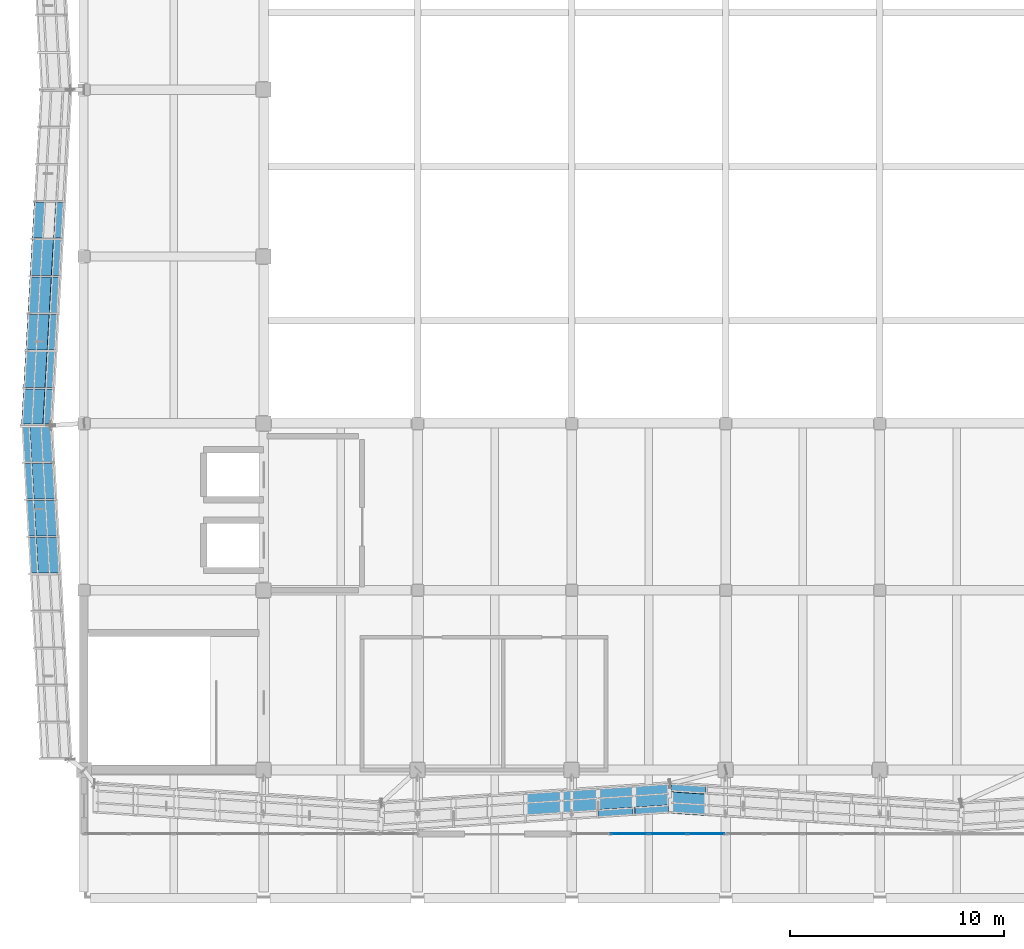
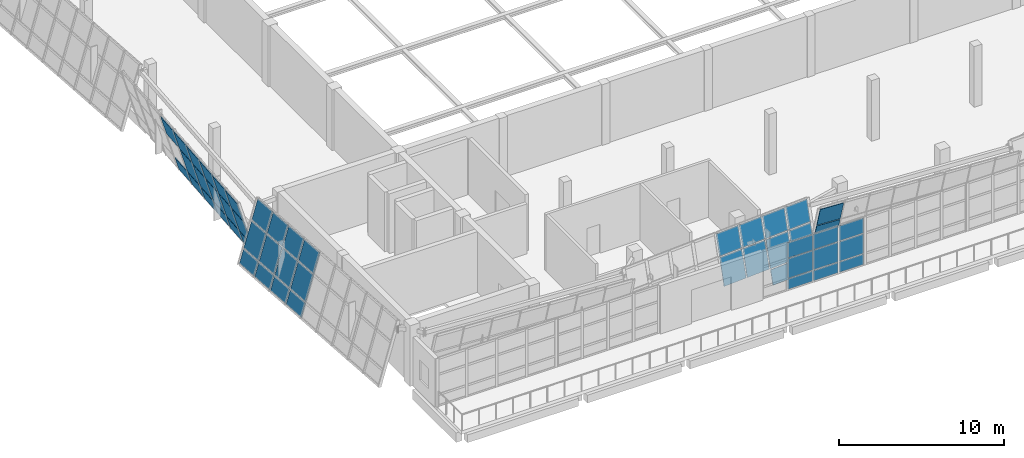
# One storey, part 35 of 67: 51 plates, 5 elements without a shape of their own.
"""IFC4 building model written with IfcOpenShell, lengths in metres."""

from ifc_helpers import new_model, si_unit, direction, frame, origin, place, context, subcontext, project, spatial, polyline, outline, extrude, material, layer, layer_set, type_object, element, aggregate, save


model = new_model("IFC4")

# Units and contexts
model_context = context("Model", 3, precision=1e-05, world=origin(), true_north=direction((0.0, 1.0)))
body_context = subcontext(model_context, "Body", "Model", "MODEL_VIEW")
ifc_project = project(units=[si_unit("LENGTHUNIT", "METRE"), si_unit("AREAUNIT", "SQUARE_METRE"), si_unit("VOLUMEUNIT", "CUBIC_METRE"), si_unit("PLANEANGLEUNIT", "RADIAN"), si_unit("MASSUNIT", "GRAM", prefix="KILO")], contexts=[model_context])

# Site, building, storey
site_placement = place(None, origin())
site = spatial("IfcSite", under=ifc_project, at=site_placement, CompositionType="ELEMENT")
building_placement = place(site_placement, origin())
building = spatial("IfcBuilding", under=site, at=building_placement, Name="Pellamere Symphony Hall", CompositionType="ELEMENT")
storey_placement = place(building_placement, frame((0.0, 0.0, 19.5)))
storey = spatial("IfcBuildingStorey", under=building, at=storey_placement, Name="L04", CompositionType="ELEMENT", Elevation=19.5)

# Curtain wall, plates
ifc_material_1 = material(Name="Thermally Broken Anodised Aluminium 6063-T6 Curtain Wall", Category="aluminium")
curtain_wall_type_1 = type_object("IfcCurtainWallType", Name="Curtain Wall CW-06 (Belvedere Terrace Clerestory Curtain Wall)", PredefinedType="NOTDEFINED", material=ifc_material_1)
curtain_wall_1_placement = place(storey_placement, origin())
curtain_wall_1 = element("IfcCurtainWall", 1, at=curtain_wall_1_placement, inside=storey, type_object=curtain_wall_type_1, Name="Winter-Garden South Curtain Wall (L04 Bay 4)", PredefinedType="NOTDEFINED")
ifc_material_2 = material(Name="Triple Low-E Argon Acoustic Glazing 36mm", Category="glass")
ifc_layer_1 = layer(ifc_material_2, 0.035888671875, Name="Triple Low-E Argon Acoustic Glazing 36mm")
ifc_layer_set_1 = layer_set([ifc_layer_1], Name="Triple Low-E Argon Acoustic Glazing 36mm")
plate_type_1 = type_object("IfcPlateType", Name="Facade Panel GL-01 36mm", PredefinedType="CURTAIN_PANEL", material=ifc_layer_set_1)
plate_1_placement = place(storey_placement, frame((75.032470703125, 27.0, 0.06494140625), z_axis=(0.0, -1.0, 0.0), x_axis=(1.0, 0.0, 0.0)))
plate_1 = element("IfcPlate", 2, at=plate_1_placement, type_object=plate_type_1, Name="CW2-097 crystal glass panel 2.1", PredefinedType="CURTAIN_PANEL", context=body_context, shape_type="SweptSolid", body=[
    extrude(outline(polyline([(0.0, 0.0), (1.735107421875, 0.0), (1.735107421875, 0.76123046875), (0.0, 0.76123046875), (0.0, 0.0)])), origin(), (0.0, 0.0, -1.0), 0.035888671875),
])
plate_2_placement = place(storey_placement, frame((75.032470703125, 27.0, 0.89111328125), z_axis=(0.0, -1.0, 0.0), x_axis=(1.0, 0.0, 0.0)))
plate_2 = element("IfcPlate", 3, at=plate_2_placement, type_object=plate_type_1, Name="CW2-097 crystal glass panel 2.2", PredefinedType="CURTAIN_PANEL", context=body_context, shape_type="SweptSolid", body=[
    extrude(outline(polyline([(0.0, 0.0), (1.735107421875, 0.0), (1.735107421875, 1.4375), (0.0, 1.4375), (0.0, 0.0)])), origin(), (0.0, 0.0, -1.0), 0.035888671875),
])
plate_3_placement = place(storey_placement, frame((75.032470703125, 27.0, 2.3935546875), z_axis=(0.0, -1.0, 0.0), x_axis=(1.0, 0.0, 0.0)))
plate_3 = element("IfcPlate", 4, at=plate_3_placement, type_object=plate_type_1, Name="CW2-097 crystal glass panel 2.3", PredefinedType="CURTAIN_PANEL", context=body_context, shape_type="SweptSolid", body=[
    extrude(outline(polyline([(0.0, 0.0), (1.735107421875, 0.0), (1.735107421875, 1.118896484375), (0.0, 1.118896484375), (0.0, 0.0)])), origin(), (0.0, 0.0, -1.0), 0.035888671875),
])
plate_4_placement = place(storey_placement, frame((76.83251953125, 27.0, 0.06494140625), z_axis=(0.0, -1.0, 0.0), x_axis=(1.0, 0.0, 0.0)))
plate_4 = element("IfcPlate", 5, at=plate_4_placement, type_object=plate_type_1, Name="CW2-097 crystal glass panel 3.1", PredefinedType="CURTAIN_PANEL", context=body_context, shape_type="SweptSolid", body=[
    extrude(outline(polyline([(0.0, 0.0), (1.73486328125, 0.0), (1.73486328125, 0.76123046875), (0.0, 0.76123046875), (0.0, 0.0)])), origin(), (0.0, 0.0, -1.0), 0.035888671875),
])
plate_5_placement = place(storey_placement, frame((76.83251953125, 27.0, 0.89111328125), z_axis=(0.0, -1.0, 0.0), x_axis=(1.0, 0.0, 0.0)))
plate_5 = element("IfcPlate", 6, at=plate_5_placement, type_object=plate_type_1, Name="CW2-097 crystal glass panel 3.2", PredefinedType="CURTAIN_PANEL", context=body_context, shape_type="SweptSolid", body=[
    extrude(outline(polyline([(0.0, 0.0), (1.73486328125, 0.0), (1.73486328125, 1.4375), (0.0, 1.4375), (0.0, 0.0)])), origin(), (0.0, 0.0, -1.0), 0.035888671875),
])
plate_6_placement = place(storey_placement, frame((76.83251953125, 27.0, 2.3935546875), z_axis=(0.0, -1.0, 0.0), x_axis=(1.0, 0.0, 0.0)))
plate_6 = element("IfcPlate", 7, at=plate_6_placement, type_object=plate_type_1, Name="CW2-097 crystal glass panel 3.3", PredefinedType="CURTAIN_PANEL", context=body_context, shape_type="SweptSolid", body=[
    extrude(outline(polyline([(0.0, 0.0), (1.73486328125, 0.0), (1.73486328125, 1.118896484375), (0.0, 1.118896484375), (0.0, 0.0)])), origin(), (0.0, 0.0, -1.0), 0.035888671875),
])
plate_7_placement = place(storey_placement, frame((78.632568359375, 27.0, 0.06494140625), z_axis=(0.0, -1.0, 0.0), x_axis=(1.0, 0.0, 0.0)))
plate_7 = element("IfcPlate", 8, at=plate_7_placement, type_object=plate_type_1, Name="CW2-097 crystal glass panel 4.1", PredefinedType="CURTAIN_PANEL", context=body_context, shape_type="SweptSolid", body=[
    extrude(outline(polyline([(0.0, 0.0), (1.702392578125, 0.0), (1.702392578125, 0.76123046875), (0.0, 0.76123046875), (0.0, 0.0)])), origin(), (0.0, 0.0, -1.0), 0.035888671875),
])
plate_8_placement = place(storey_placement, frame((78.632568359375, 27.0, 0.89111328125), z_axis=(0.0, -1.0, 0.0), x_axis=(1.0, 0.0, 0.0)))
plate_8 = element("IfcPlate", 9, at=plate_8_placement, type_object=plate_type_1, Name="CW2-097 crystal glass panel 4.2", PredefinedType="CURTAIN_PANEL", context=body_context, shape_type="SweptSolid", body=[
    extrude(outline(polyline([(0.0, 0.0), (1.702392578125, 0.0), (1.702392578125, 1.4375), (0.0, 1.4375), (0.0, 0.0)])), origin(), (0.0, 0.0, -1.0), 0.035888671875),
])
plate_9_placement = place(storey_placement, frame((78.632568359375, 27.0, 2.3935546875), z_axis=(0.0, -1.0, 0.0), x_axis=(1.0, 0.0, 0.0)))
plate_9 = element("IfcPlate", 10, at=plate_9_placement, type_object=plate_type_1, Name="CW2-097 crystal glass panel 4.3", PredefinedType="CURTAIN_PANEL", context=body_context, shape_type="SweptSolid", body=[
    extrude(outline(polyline([(0.0, 0.0), (1.702392578125, 0.0), (1.702392578125, 1.118896484375), (0.0, 1.118896484375), (0.0, 0.0)])), origin(), (0.0, 0.0, -1.0), 0.035888671875),
])
aggregate(curtain_wall_1, [plate_1, plate_2, plate_3, plate_4, plate_5, plate_6, plate_7, plate_8, plate_9])

curtain_wall_type_2 = type_object("IfcCurtainWallType", Name="Curtain Wall CW-01 (Tilted Faceted Crystal Low-Iron Curtain Wall)", PredefinedType="NOTDEFINED", material=ifc_material_1)
curtain_wall_2_placement = place(storey_placement, origin())
curtain_wall_2 = element("IfcCurtainWall", 11, at=curtain_wall_2_placement, inside=storey, type_object=curtain_wall_type_2, Name="Crystal Faceted Curtain Wall CW-CR02 (L04)", PredefinedType="NOTDEFINED")
ifc_material_3 = material(Name="Triple Laminated Acoustic Crystal Glazing 42mm", Category="glass")
ifc_layer_2 = layer(ifc_material_3, 0.0419921875, Name="Triple Laminated Acoustic Crystal Glazing 42mm")
ifc_layer_set_2 = layer_set([ifc_layer_2], Name="Triple Laminated Acoustic Crystal Glazing 42mm")
plate_type_2 = type_object("IfcPlateType", Name="Facade Panel GL-02 42mm", PredefinedType="CURTAIN_PANEL", material=ifc_layer_set_2)
plate_10_placement = place(storey_placement, frame((71.08740234375, 27.900146484375, 1.115966796875), z_axis=(0.063733193807, -0.956866996113, 0.283449522415), x_axis=(0.997789166031, 0.066458860589, 0.0)))
plate_10 = element("IfcPlate", 12, at=plate_10_placement, type_object=plate_type_2, Name="CW1-002 crystal glass panel 5.2", PredefinedType="CURTAIN_PANEL", context=body_context, shape_type="SweptSolid", body=[
    extrude(outline(polyline([(0.0, 0.0), (1.616366486684859, 0.0), (1.6521595156058213, 1.8958702628738333), (0.035793028920962165, 1.8958702628738333), (0.0, 0.0)])), origin(), (0.0, 0.0, -1.0), 0.0419921875),
])
plate_11_placement = place(storey_placement, frame((71.08740234375, 28.4599609375, 3.005859375), z_axis=(0.063805383649, -0.956863483281, 0.283445139983), x_axis=(0.997784557823, 0.06652800726, -2.0482795e-05)))
plate_11 = element("IfcPlate", 13, at=plate_11_placement, type_object=plate_type_2, Name="CW1-002 crystal glass panel 5.3", PredefinedType="CURTAIN_PANEL", context=body_context, shape_type="SweptSolid", body=[
    extrude(outline(polyline([(0.0, 0.0), (1.6163664824644917, 0.0), (1.6443713721739868, 1.4829717898125772), (0.027988647520222894, 1.482902742329526), (0.0, 0.0)])), origin(), (0.0, 0.0, -1.0), 0.0419921875),
])
plate_12_placement = place(storey_placement, frame((72.77490234375, 28.012451171875, 1.115966796875), z_axis=(0.063877451614, -0.956858152749, 0.283446902775), x_axis=(0.997779138857, 0.066609234065, 0.0)))
plate_12 = element("IfcPlate", 14, at=plate_12_placement, type_object=plate_type_2, Name="CW1-002 crystal glass panel 6.2", PredefinedType="CURTAIN_PANEL", context=body_context, shape_type="SweptSolid", body=[
    extrude(outline(polyline([(0.0, 0.0), (1.6163827303488496, 0.0), (1.6522567465471327, 1.895868732146411), (0.03587401619828309, 1.895868732146411), (0.0, 0.0)])), origin(), (0.0, 0.0, -1.0), 0.0419921875),
])
plate_13_placement = place(storey_placement, frame((72.77490234375, 28.572509765625, 3.005859375), z_axis=(0.063805383649, -0.956863483281, 0.283445139983), x_axis=(0.997784557823, 0.06652800726, -2.0482795e-05)))
plate_13 = element("IfcPlate", 15, at=plate_13_placement, type_object=plate_type_2, Name="CW1-002 crystal glass panel 6.3", PredefinedType="CURTAIN_PANEL", context=body_context, shape_type="SweptSolid", body=[
    extrude(outline(polyline([(0.0, 0.0), (1.6163664824644917, 0.0), (1.6443713721739868, 1.4829717898125772), (0.027988647520222894, 1.482902742329526), (0.0, 0.0)])), origin(), (0.0, 0.0, -1.0), 0.0419921875),
])
plate_14_placement = place(storey_placement, frame((74.46240234375, 27.81591796875, 0.072021484375), z_axis=(0.063734402399, -0.956885141479, 0.283387988396), x_axis=(0.997789166031, 0.066458860589, 0.0)))
plate_14 = element("IfcPlate", 16, at=plate_14_placement, type_object=plate_type_2, Name="CW1-002 crystal glass panel 7.1", PredefinedType="CURTAIN_PANEL", context=body_context, shape_type="SweptSolid", body=[
    extrude(outline(polyline([(0.0, 0.0), (1.616366486684859, 0.0), (1.635496124535183, 1.013470712285806), (0.01912963785032384, 1.013470712285806), (0.0, 0.0)])), origin(), (0.0, 0.0, -1.0), 0.0419921875),
])
plate_15_placement = place(storey_placement, frame((74.46240234375, 28.125, 1.115966796875), z_axis=(0.063877451614, -0.956858152749, 0.283446902775), x_axis=(0.997779138857, 0.066609234065, 0.0)))
plate_15 = element("IfcPlate", 17, at=plate_15_placement, type_object=plate_type_2, Name="CW1-002 crystal glass panel 7.2", PredefinedType="CURTAIN_PANEL", context=body_context, shape_type="SweptSolid", body=[
    extrude(outline(polyline([(0.0, 0.0), (1.6163827303488496, 0.0), (1.6522567465471327, 1.895868732146411), (0.03587401619828309, 1.895868732146411), (0.0, 0.0)])), origin(), (0.0, 0.0, -1.0), 0.0419921875),
])
plate_16_placement = place(storey_placement, frame((74.46240234375, 28.684814453125, 3.005859375), z_axis=(0.063805383649, -0.956863483281, 0.283445139983), x_axis=(0.997783752229, 0.066540088437, 2.0482589e-05)))
plate_16 = element("IfcPlate", 18, at=plate_16_placement, type_object=plate_type_2, Name="CW1-002 crystal glass panel 7.3", PredefinedType="CURTAIN_PANEL", context=body_context, shape_type="SweptSolid", body=[
    extrude(outline(polyline([(0.0, 0.0), (1.6163827261285246, 3.469446951953614e-18), (1.6444347192036313, 1.4829015453774923), (0.028068238213885266, 1.4829705921666583), (0.0, 0.0)])), origin(), (0.0, 0.0, -1.0), 0.0419921875),
])
plate_17_placement = place(storey_placement, frame((76.14990234375, 27.92822265625, 0.072021484375), z_axis=(0.063768067856, -0.956817613505, 0.283608335578), x_axis=(0.997786526209, 0.066498482063, 0.0)))
plate_17 = element("IfcPlate", 19, at=plate_17_placement, type_object=plate_type_2, Name="CW1-002 crystal glass panel 8.1", PredefinedType="CURTAIN_PANEL", context=body_context, shape_type="SweptSolid", body=[
    extrude(outline(polyline([(0.0, 0.0), (1.578689700777497, -3.469446951953614e-18), (1.5978469783249076, 1.0135395570866388), (0.01915727754741067, 1.0135395570866388), (0.0, 0.0)])), origin(), (0.0, 0.0, -1.0), 0.0419921875),
])
plate_18_placement = place(storey_placement, frame((76.14990234375, 28.237548828125, 1.115966796875), z_axis=(0.063771203847, -0.95686466795, 0.283448832751), x_axis=(0.997786526209, 0.066498482063, 0.0)))
plate_18 = element("IfcPlate", 20, at=plate_18_placement, type_object=plate_type_2, Name="CW1-002 crystal glass panel 8.2", PredefinedType="CURTAIN_PANEL", context=body_context, shape_type="SweptSolid", body=[
    extrude(outline(polyline([(0.0, 0.0), (1.578689700777497, 0.0), (1.6145040688025716, 1.8958698598826869), (0.03581436802507452, 1.8958698598826869), (0.0, 0.0)])), origin(), (0.0, 0.0, -1.0), 0.0419921875),
])
plate_19_placement = place(storey_placement, frame((76.14990234375, 28.79736328125, 3.005859375), z_axis=(0.063769779454, -0.956843295433, 0.283521292346), x_axis=(0.997786526209, 0.066498482063, 0.0)))
plate_19 = element("IfcPlate", 21, at=plate_19_placement, type_object=plate_type_2, Name="CW1-002 crystal glass panel 8.3", PredefinedType="CURTAIN_PANEL", context=body_context, shape_type="SweptSolid", body=[
    extrude(outline(polyline([(0.0, 0.0), (1.578689700777497, -3.469446951953614e-18), (1.6067112779358281, 1.4829714791877961), (0.028021577158331198, 1.4829714791877961), (0.0, 0.0)])), origin(), (0.0, 0.0, -1.0), 0.0419921875),
])
aggregate(curtain_wall_2, [plate_10, plate_11, plate_12, plate_13, plate_14, plate_15, plate_16, plate_17, plate_18, plate_19])

curtain_wall_3_placement = place(storey_placement, origin())
curtain_wall_3 = element("IfcCurtainWall", 22, at=curtain_wall_3_placement, inside=storey, type_object=curtain_wall_type_2, Name="Crystal Faceted Curtain Wall CW-CR18 (L04)", PredefinedType="NOTDEFINED")
plate_20_placement = place(storey_placement, frame((47.542724609375, 46.025146484375, 0.072021484375), z_axis=(-0.957371473548, -0.05522187867, 0.283532018918), x_axis=(0.057585007883, -0.99834060664, 0.0)))
plate_20 = element("IfcPlate", 23, at=plate_20_placement, type_object=plate_type_2, Name="CW1-056 crystal glass panel 1.1", PredefinedType="CURTAIN_PANEL", context=body_context, shape_type="SweptSolid", body=[
    extrude(outline(polyline([(0.0, 0.0), (1.6237882534451713, 0.0), (1.6403636255872818, 1.0135157052279624), (0.01657537214211032, 1.0135157052279624), (0.0, 0.0)])), origin(), (0.0, 0.0, -1.0), 0.0419921875),
])
plate_21_placement = place(storey_placement, frame((47.851806640625, 46.025146484375, 1.115966796875), z_axis=(-0.957353300502, -0.055220830436, 0.283593578744), x_axis=(0.057585007883, -0.99834060664, 0.0)))
plate_21 = element("IfcPlate", 24, at=plate_21_placement, type_object=plate_type_2, Name="CW1-056 crystal glass panel 1.2", PredefinedType="CURTAIN_PANEL", context=body_context, shape_type="SweptSolid", body=[
    extrude(outline(polyline([(0.0, 0.0), (1.6237882534451713, -3.469446951953614e-18), (1.654802054077483, 1.895954466420271), (0.031013800632311597, 1.895954466420271), (0.0, 0.0)])), origin(), (0.0, 0.0, -1.0), 0.0419921875),
])
plate_22_placement = place(storey_placement, frame((48.411865234375, 46.025146484375, 3.005859375), z_axis=(-0.957376516406, -0.055222169546, 0.283514934043), x_axis=(0.057585007883, -0.99834060664, 0.0)))
plate_22 = element("IfcPlate", 25, at=plate_22_placement, type_object=plate_type_2, Name="CW1-056 crystal glass panel 1.3", PredefinedType="CURTAIN_PANEL", context=body_context, shape_type="SweptSolid", body=[
    extrude(outline(polyline([(0.0, 0.0), (1.6237882534451713, -3.469446951953614e-18), (1.648039752126376, 1.482968572173219), (0.024251498681204672, 1.482968572173219), (0.0, 0.0)])), origin(), (0.0, 0.0, -1.0), 0.0419921875),
])
plate_23_placement = place(storey_placement, frame((47.640380859375, 44.329345703125, 0.072021484375), z_axis=(-0.957305301098, -0.055234571391, 0.283752890052), x_axis=(0.057602168051, -0.998339616682, 0.0)))
plate_23 = element("IfcPlate", 26, at=plate_23_placement, type_object=plate_type_2, Name="CW1-056 crystal glass panel 2.1", PredefinedType="CURTAIN_PANEL", context=body_context, shape_type="SweptSolid", body=[
    extrude(outline(polyline([(0.0, 0.0), (1.6614500501978287, -3.469446951953614e-18), (1.6780444247828616, 1.0135847580713415), (0.01659437458503302, 1.0135847580713415), (0.0, 0.0)])), origin(), (0.0, 0.0, -1.0), 0.0419921875),
])
plate_24_placement = place(storey_placement, frame((47.94970703125, 44.329345703125, 1.115966796875), z_axis=(-0.957352427535, -0.055237290491, 0.283593320148), x_axis=(0.057602168051, -0.998339616682, 0.0)))
plate_24 = element("IfcPlate", 27, at=plate_24_placement, type_object=plate_type_2, Name="CW1-056 crystal glass panel 2.2", PredefinedType="CURTAIN_PANEL", context=body_context, shape_type="SweptSolid", body=[
    extrude(outline(polyline([(0.0, 0.0), (1.6614500501978287, -3.469446951953614e-18), (1.6924730928542548, 1.8959543152177933), (0.031023042656426136, 1.8959543152177933), (0.0, 0.0)])), origin(), (0.0, 0.0, -1.0), 0.0419921875),
])
plate_25_placement = place(storey_placement, frame((48.509521484375, 44.329345703125, 3.005859375), z_axis=(-0.957331022317, -0.055236055453, 0.283665810218), x_axis=(0.057602168051, -0.998339616682, 0.0)))
plate_25 = element("IfcPlate", 28, at=plate_25_placement, type_object=plate_type_2, Name="CW1-056 crystal glass panel 2.3", PredefinedType="CURTAIN_PANEL", context=body_context, shape_type="SweptSolid", body=[
    extrude(outline(polyline([(0.0, 0.0), (1.6614500501978287, 6.938893903907228e-18), (1.6857228387857668, 1.483037574913409), (0.02427278858793813, 1.483037574913409), (0.0, 0.0)])), origin(), (0.0, 0.0, -1.0), 0.0419921875),
])
plate_26_placement = place(storey_placement, frame((47.740478515625, 42.595947265625, 0.072021484375), z_axis=(-0.95737017047, -0.055246445874, 0.283531633003), x_axis=(0.057610619545, -0.998339129012, 0.0)))
plate_26 = element("IfcPlate", 29, at=plate_26_placement, type_object=plate_type_2, Name="CW1-056 crystal glass panel 3.1", PredefinedType="CURTAIN_PANEL", context=body_context, shape_type="SweptSolid", body=[
    extrude(outline(polyline([(0.0, 0.0), (1.6612063149993754, -3.469446951953614e-18), (1.6777890592484324, 1.0135155846352601), (0.0165827442490568, 1.0135155846352604), (0.0, 0.0)])), origin(), (0.0, 0.0, -1.0), 0.0419921875),
])
plate_27_placement = place(storey_placement, frame((48.0498046875, 42.595947265625, 1.115966796875), z_axis=(-0.957351997497, -0.055245397176, 0.283593192759), x_axis=(0.057610619545, -0.998339129012, 0.0)))
plate_27 = element("IfcPlate", 30, at=plate_27_placement, type_object=plate_type_2, Name="CW1-056 crystal glass panel 3.2", PredefinedType="CURTAIN_PANEL", context=body_context, shape_type="SweptSolid", body=[
    extrude(outline(polyline([(0.0, 0.0), (1.6612063149993754, -3.469446951953614e-18), (1.6922339094127932, 1.8959542407330272), (0.031027594413417556, 1.8959542407330272), (0.0, 0.0)])), origin(), (0.0, 0.0, -1.0), 0.0419921875),
])
plate_28_placement = place(storey_placement, frame((48.609619140625, 42.595947265625, 3.005859375), z_axis=(-0.957375213306, -0.055246736879, 0.283514548147), x_axis=(0.057610619545, -0.998339129012, 0.0)))
plate_28 = element("IfcPlate", 31, at=plate_28_placement, type_object=plate_type_2, Name="CW1-056 crystal glass panel 3.3", PredefinedType="CURTAIN_PANEL", context=body_context, shape_type="SweptSolid", body=[
    extrude(outline(polyline([(0.0, 0.0), (1.6612063149993754, -6.938893903907228e-18), (1.685468599842143, 1.482968395744147), (0.02426228484276758, 1.482968395744147), (0.0, 0.0)])), origin(), (0.0, 0.0, -1.0), 0.0419921875),
])
plate_29_placement = place(storey_placement, frame((47.840576171875, 40.862548828125, 0.072021484375), z_axis=(-0.957341250423, -0.055174311724, 0.283643306926), x_axis=(0.057531487585, -0.998343692091, -1.9953977e-05)))
plate_29 = element("IfcPlate", 32, at=plate_29_placement, type_object=plate_type_2, Name="CW1-056 crystal glass panel 4.1", PredefinedType="CURTAIN_PANEL", context=body_context, shape_type="SweptSolid", body=[
    extrude(outline(polyline([(0.0, 0.0), (1.6611922636769045, -3.469446951953614e-18), (1.6777468824677166, 1.0135854014350005), (0.016540573017476246, 1.0135162670094096), (0.0, 0.0)])), origin(), (0.0, 0.0, -1.0), 0.0419921875),
])
plate_30_placement = place(storey_placement, frame((48.149658203125, 40.862548828125, 1.115966796875), z_axis=(-0.957351997497, -0.055245397176, 0.283593192759), x_axis=(0.057610619545, -0.998339129012, 0.0)))
plate_30 = element("IfcPlate", 33, at=plate_30_placement, type_object=plate_type_2, Name="CW1-056 crystal glass panel 4.2", PredefinedType="CURTAIN_PANEL", context=body_context, shape_type="SweptSolid", body=[
    extrude(outline(polyline([(0.0, 0.0), (1.6612063149993754, -3.469446951953614e-18), (1.6922339094127932, 1.8959542407330272), (0.031027594413417556, 1.8959542407330272), (0.0, 0.0)])), origin(), (0.0, 0.0, -1.0), 0.0419921875),
])
plate_31_placement = place(storey_placement, frame((48.70947265625, 40.862548828125, 3.005859375), z_axis=(-0.957330592308, -0.055244161959, 0.283665682802), x_axis=(0.057610619545, -0.998339129012, 0.0)))
plate_31 = element("IfcPlate", 34, at=plate_31_placement, type_object=plate_type_2, Name="CW1-056 crystal glass panel 4.3", PredefinedType="CURTAIN_PANEL", context=body_context, shape_type="SweptSolid", body=[
    extrude(outline(polyline([(0.0, 0.0), (1.6612063149993754, 0.0), (1.6854826649348056, 1.4830375166207674), (0.024276349935430055, 1.4830375166207674), (0.0, 0.0)])), origin(), (0.0, 0.0, -1.0), 0.0419921875),
])
aggregate(curtain_wall_3, [plate_20, plate_21, plate_22, plate_23, plate_24, plate_25, plate_26, plate_27, plate_28, plate_29, plate_30, plate_31])

curtain_wall_4_placement = place(storey_placement, origin())
curtain_wall_4 = element("IfcCurtainWall", 35, at=curtain_wall_4_placement, inside=storey, type_object=curtain_wall_type_2, Name="Crystal Faceted Curtain Wall CW-CR03 (L04)", PredefinedType="NOTDEFINED")
ifc_material_4 = material(Name="Vacuum-Insulated Bronze-Anodised Aluminium Spandrel Panel", Category="aluminium")
ifc_layer_3 = layer(ifc_material_4, 0.06494140625, Name="Vacuum-Insulated Bronze-Anodised Aluminium Spandrel Panel")
ifc_layer_set_3 = layer_set([ifc_layer_3], Name="Vacuum-Insulated Bronze-Anodised Aluminium Spandrel Panel")
plate_type_3 = type_object("IfcPlateType", Name="Facade Panel SP-01 65mm", PredefinedType="CURTAIN_PANEL", material=ifc_layer_set_3)
plate_32_placement = place(storey_placement, frame((77.874755859375, 29.32373046875, 0.072021484375), z_axis=(0.063335707417, 0.95687675039, 0.283505683769), x_axis=(0.997817017239, -0.066039379724, -2.080943e-05)))
plate_32 = element("IfcPlate", 36, at=plate_32_placement, type_object=plate_type_3, Name="CW1-003 crystal glass panel 1.1", PredefinedType="CURTAIN_PANEL", context=body_context, shape_type="SweptSolid", body=[
    extrude(outline(polyline([(0.0, 0.0), (1.591357132179374, 0.0), (1.6103619236188125, -1.0135424210762238), (0.01898866854399788, -1.0134733565953329), (0.0, 0.0)])), origin(), (0.0, 0.0, -1.0), 0.06494140625),
])
plate_33_placement = place(storey_placement, frame((77.874755859375, 29.014404296875, 1.115966796875), z_axis=(0.063263396738, 0.956895656701, 0.283458012446), x_axis=(0.997821663418, -0.065969144414, 0.0)))
plate_33 = element("IfcPlate", 37, at=plate_33_placement, type_object=plate_type_3, Name="CW1-003 crystal glass panel 1.2", PredefinedType="CURTAIN_PANEL", context=body_context, shape_type="SweptSolid", body=[
    extrude(outline(polyline([(0.0, 0.0), (1.5913571364661865, -3.469446951953614e-18), (1.6268864168806343, -1.8958752239537984), (0.035529280414447945, -1.8958752239537984), (0.0, 0.0)])), origin(), (0.0, 0.0, -1.0), 0.06494140625),
])
plate_34_placement = place(storey_placement, frame((77.874755859375, 28.45458984375, 3.005859375), z_axis=(0.063336723899, 0.956892107407, 0.283453619113), x_axis=(0.99781701709, -0.066039381979, -2.0805942e-05)))
plate_34 = element("IfcPlate", 38, at=plate_34_placement, type_object=plate_type_3, Name="CW1-003 crystal glass panel 1.3", PredefinedType="CURTAIN_PANEL", context=body_context, shape_type="SweptSolid", body=[
    extrude(outline(polyline([(0.0, 0.0), (1.5913571321792366, -1.0408340855860843e-17), (1.6191556621314394, -1.4829756724097802), (0.02778240705621182, -1.482906620612298), (0.0, 0.0)])), origin(), (0.0, 0.0, -1.0), 0.06494140625),
])
aggregate(curtain_wall_4, [plate_32, plate_33, plate_34])

curtain_wall_5_placement = place(storey_placement, origin())
curtain_wall_5 = element("IfcCurtainWall", 39, at=curtain_wall_5_placement, inside=storey, type_object=curtain_wall_type_2, Name="Crystal Faceted Curtain Wall CW-CR17 (L04)", PredefinedType="NOTDEFINED")
plate_35_placement = place(storey_placement, frame((49.426513671875, 56.529296875, 0.072021484375), z_axis=(0.957389759102, -0.05487597391, 0.283537434308), x_axis=(-0.057224396245, -0.998361341637, 0.0)))
plate_35 = element("IfcPlate", 40, at=plate_35_placement, type_object=plate_type_3, Name="CW1-051 crystal glass panel 4.1", PredefinedType="CURTAIN_PANEL", context=body_context, shape_type="SweptSolid", body=[
    extrude(outline(polyline([(0.0, 0.0), (1.6724182565382377, 0.0), (1.6888898295785688, -1.0135173974762153), (0.016471573040331075, -1.0135173974762153), (0.0, 0.0)])), origin(), (0.0, 0.0, -1.0), 0.06494140625),
])
plate_36_placement = place(storey_placement, frame((48.557373046875, 56.529296875, 3.005859375), z_axis=(0.957394802248, -0.054876262974, 0.283520349164), x_axis=(-0.057224396245, -0.998361341637, 0.0)))
plate_36 = element("IfcPlate", 41, at=plate_36_placement, type_object=plate_type_3, Name="CW1-051 crystal glass panel 4.3", PredefinedType="CURTAIN_PANEL", context=body_context, shape_type="SweptSolid", body=[
    extrude(outline(polyline([(0.0, 0.0), (1.6724182565382377, 3.469446951953614e-18), (1.6965178863046255, -1.482971047959765), (0.024099629766387704, -1.482971047959765), (0.0, 0.0)])), origin(), (0.0, 0.0, -1.0), 0.06494140625),
])
plate_37_placement = place(storey_placement, frame((49.32666015625, 54.78466796875, 0.072021484375), z_axis=(0.957324034181, -0.054880231266, 0.283758442686), x_axis=(-0.057232737422, -0.998360863499, 0.0)))
plate_37 = element("IfcPlate", 42, at=plate_37_placement, type_object=plate_type_3, Name="CW1-051 crystal glass panel 5.1", PredefinedType="CURTAIN_PANEL", context=body_context, shape_type="SweptSolid", body=[
    extrude(outline(polyline([(0.0, 0.0), (1.6721745160346768, 6.938893903907228e-18), (1.6886624628505897, -1.013586494914077), (0.01648794681591293, -1.013586494914077), (0.0, 0.0)])), origin(), (0.0, 0.0, -1.0), 0.06494140625),
])
plate_38_placement = place(storey_placement, frame((49.017333984375, 54.78466796875, 1.115966796875), z_axis=(0.957371163384, -0.054882933028, 0.283598870206), x_axis=(-0.057232737422, -0.998360863499, 0.0)))
plate_38 = element("IfcPlate", 43, at=plate_38_placement, type_object=plate_type_3, Name="CW1-051 crystal glass panel 5.2", PredefinedType="CURTAIN_PANEL", context=body_context, shape_type="SweptSolid", body=[
    extrude(outline(polyline([(0.0, 0.0), (1.6721745160346768, -3.469446951953614e-18), (1.7029985928786633, -1.8959575604045968), (0.030824076843986373, -1.895957560404597), (0.0, 0.0)])), origin(), (0.0, 0.0, -1.0), 0.06494140625),
])
plate_39_placement = place(storey_placement, frame((48.45751953125, 54.78466796875, 3.005859375), z_axis=(0.95734975691, -0.054881705866, 0.283671361447), x_axis=(-0.057232737422, -0.998360863499, 0.0)))
plate_39 = element("IfcPlate", 44, at=plate_39_placement, type_object=plate_type_3, Name="CW1-051 crystal glass panel 5.3", PredefinedType="CURTAIN_PANEL", context=body_context, shape_type="SweptSolid", body=[
    extrude(outline(polyline([(0.0, 0.0), (1.6721745160346768, 3.469446951953614e-18), (1.6962916314620207, -1.4830401146342416), (0.024117115427343825, -1.4830401146342416), (0.0, 0.0)])), origin(), (0.0, 0.0, -1.0), 0.06494140625),
])
plate_40_placement = place(storey_placement, frame((49.2265625, 53.040283203125, 0.072021484375), z_axis=(0.957324034181, -0.054880231266, 0.283758442686), x_axis=(-0.057232737422, -0.998360863499, 0.0)))
plate_40 = element("IfcPlate", 45, at=plate_40_placement, type_object=plate_type_3, Name="CW1-051 crystal glass panel 6.1", PredefinedType="CURTAIN_PANEL", context=body_context, shape_type="SweptSolid", body=[
    extrude(outline(polyline([(0.0, 0.0), (1.6721745160346768, 6.938893903907228e-18), (1.6886624628505897, -1.013586494914077), (0.01648794681591293, -1.013586494914077), (0.0, 0.0)])), origin(), (0.0, 0.0, -1.0), 0.06494140625),
])
plate_41_placement = place(storey_placement, frame((48.917236328125, 53.040283203125, 1.115966796875), z_axis=(0.957371163384, -0.054882933028, 0.283598870206), x_axis=(-0.057232737422, -0.998360863499, 0.0)))
plate_41 = element("IfcPlate", 46, at=plate_41_placement, type_object=plate_type_3, Name="CW1-051 crystal glass panel 6.2", PredefinedType="CURTAIN_PANEL", context=body_context, shape_type="SweptSolid", body=[
    extrude(outline(polyline([(0.0, 0.0), (1.6721745160346768, -3.469446951953614e-18), (1.7029985928786633, -1.8959575604045968), (0.030824076843986373, -1.895957560404597), (0.0, 0.0)])), origin(), (0.0, 0.0, -1.0), 0.06494140625),
])
plate_42_placement = place(storey_placement, frame((48.357421875, 53.040283203125, 3.005859375), z_axis=(0.95734975691, -0.054881705866, 0.283671361447), x_axis=(-0.057232737422, -0.998360863499, 0.0)))
plate_42 = element("IfcPlate", 47, at=plate_42_placement, type_object=plate_type_3, Name="CW1-051 crystal glass panel 6.3", PredefinedType="CURTAIN_PANEL", context=body_context, shape_type="SweptSolid", body=[
    extrude(outline(polyline([(0.0, 0.0), (1.6721745160346768, 3.469446951953614e-18), (1.6962916314620207, -1.4830401146342416), (0.024117115427343825, -1.4830401146342416), (0.0, 0.0)])), origin(), (0.0, 0.0, -1.0), 0.06494140625),
])
plate_43_placement = place(storey_placement, frame((49.12646484375, 51.2958984375, 0.072021484375), z_axis=(0.957389759102, -0.05487597391, 0.283537434308), x_axis=(-0.057224396245, -0.998361341637, 0.0)))
plate_43 = element("IfcPlate", 48, at=plate_43_placement, type_object=plate_type_3, Name="CW1-051 crystal glass panel 7.1", PredefinedType="CURTAIN_PANEL", context=body_context, shape_type="SweptSolid", body=[
    extrude(outline(polyline([(0.0, 0.0), (1.6724182565382377, 0.0), (1.6888898295785688, -1.0135173974762153), (0.016471573040331075, -1.0135173974762153), (0.0, 0.0)])), origin(), (0.0, 0.0, -1.0), 0.06494140625),
])
plate_44_placement = place(storey_placement, frame((48.8173828125, 51.2958984375, 1.115966796875), z_axis=(0.957371585014, -0.054874932201, 0.283598995104), x_axis=(-0.057224396245, -0.998361341637, 0.0)))
plate_44 = element("IfcPlate", 49, at=plate_44_placement, type_object=plate_type_3, Name="CW1-051 crystal glass panel 7.2", PredefinedType="CURTAIN_PANEL", context=body_context, shape_type="SweptSolid", body=[
    extrude(outline(polyline([(0.0, 0.0), (1.6724182565382377, -3.469446951953614e-18), (1.703237841039485, -1.895957633434831), (0.030819584501247117, -1.895957633434831), (0.0, 0.0)])), origin(), (0.0, 0.0, -1.0), 0.06494140625),
])
plate_45_placement = place(storey_placement, frame((48.25732421875, 51.2958984375, 3.005859375), z_axis=(0.957394802248, -0.054876262974, 0.283520349164), x_axis=(-0.057224396245, -0.998361341637, 0.0)))
plate_45 = element("IfcPlate", 50, at=plate_45_placement, type_object=plate_type_3, Name="CW1-051 crystal glass panel 7.3", PredefinedType="CURTAIN_PANEL", context=body_context, shape_type="SweptSolid", body=[
    extrude(outline(polyline([(0.0, 0.0), (1.6724182565382377, 3.469446951953614e-18), (1.6965178863046255, -1.482971047959765), (0.024099629766387704, -1.482971047959765), (0.0, 0.0)])), origin(), (0.0, 0.0, -1.0), 0.06494140625),
])
plate_46_placement = place(storey_placement, frame((49.026611328125, 49.551513671875, 0.072021484375), z_axis=(0.957324455748, -0.054872230831, 0.283758567642), x_axis=(-0.057224396245, -0.998361341637, 0.0)))
plate_46 = element("IfcPlate", 51, at=plate_46_placement, type_object=plate_type_3, Name="CW1-051 crystal glass panel 8.1", PredefinedType="CURTAIN_PANEL", context=body_context, shape_type="SweptSolid", body=[
    extrude(outline(polyline([(0.0, 0.0), (1.6724182565382377, 0.0), (1.6889038003784336, -1.0135865340002803), (0.016485543840195648, -1.0135865340002805), (0.0, 0.0)])), origin(), (0.0, 0.0, -1.0), 0.06494140625),
])
plate_47_placement = place(storey_placement, frame((48.71728515625, 49.551513671875, 1.115966796875), z_axis=(0.957371585014, -0.054874932201, 0.283598995104), x_axis=(-0.057224396245, -0.998361341637, 0.0)))
plate_47 = element("IfcPlate", 52, at=plate_47_placement, type_object=plate_type_3, Name="CW1-051 crystal glass panel 8.2", PredefinedType="CURTAIN_PANEL", context=body_context, shape_type="SweptSolid", body=[
    extrude(outline(polyline([(0.0, 0.0), (1.6724182565382377, -3.469446951953614e-18), (1.703237841039485, -1.895957633434831), (0.030819584501247117, -1.895957633434831), (0.0, 0.0)])), origin(), (0.0, 0.0, -1.0), 0.06494140625),
])
plate_48_placement = place(storey_placement, frame((48.157470703125, 49.551513671875, 3.005859375), z_axis=(0.957350178511, -0.054873705217, 0.283671486371), x_axis=(-0.057224396245, -0.998361341637, 0.0)))
plate_48 = element("IfcPlate", 53, at=plate_48_placement, type_object=plate_type_3, Name="CW1-051 crystal glass panel 8.3", PredefinedType="CURTAIN_PANEL", context=body_context, shape_type="SweptSolid", body=[
    extrude(outline(polyline([(0.0, 0.0), (1.6724182565382377, -3.469446951953614e-18), (1.69653185710449, -1.48304017178855), (0.024113600566252277, -1.48304017178855), (0.0, 0.0)])), origin(), (0.0, 0.0, -1.0), 0.06494140625),
])
plate_49_placement = place(storey_placement, frame((48.926513671875, 47.806884765625, 0.072021484375), z_axis=(0.957354651322, -0.054920794133, 0.283647277376), x_axis=(-0.057267086561, -0.998358893578, -2.0277222e-05)))
plate_49 = element("IfcPlate", 54, at=plate_49_placement, type_object=plate_type_3, Name="CW1-051 crystal glass panel 9.1", PredefinedType="CURTAIN_PANEL", context=body_context, shape_type="SweptSolid", body=[
    extrude(outline(polyline([(0.0, 0.0), (1.634756469169837, 3.469446951953614e-18), (1.6512346035740397, -1.0135866477473128), (0.016464153181897846, -1.0135175112981798), (0.0, 0.0)])), origin(), (0.0, 0.0, -1.0), 0.06494140625),
])
plate_50_placement = place(storey_placement, frame((48.6171875, 47.806884765625, 1.115966796875), z_axis=(0.957372886168, -0.054850234166, 0.283599380541), x_axis=(-0.057198647566, -0.998362817175, 0.0)))
plate_50 = element("IfcPlate", 55, at=plate_50_placement, type_object=plate_type_3, Name="CW1-051 crystal glass panel 9.2", PredefinedType="CURTAIN_PANEL", context=body_context, shape_type="SweptSolid", body=[
    extrude(outline(polyline([(0.0, 0.0), (1.6347564733470132, 0.0), (1.665562190273358, -1.8959578588073336), (0.03080571692634491, -1.8959578588073336), (0.0, 0.0)])), origin(), (0.0, 0.0, -1.0), 0.06494140625),
])
plate_51_placement = place(storey_placement, frame((48.057373046875, 47.806884765625, 3.005859375), z_axis=(0.957370031361, -0.054921676444, 0.283595191264), x_axis=(-0.05726708876, -0.998358893452, -2.0273825e-05)))
plate_51 = element("IfcPlate", 56, at=plate_51_placement, type_object=plate_type_3, Name="CW1-051 crystal glass panel 9.3", PredefinedType="CURTAIN_PANEL", context=body_context, shape_type="SweptSolid", body=[
    extrude(outline(polyline([(0.0, 0.0), (1.634756469169703, 0.0), (1.6588592280006327, -1.4830403434262498), (0.024088777608087905, -1.482971219672634), (0.0, 0.0)])), origin(), (0.0, 0.0, -1.0), 0.06494140625),
])
aggregate(curtain_wall_5, [plate_35, plate_36, plate_37, plate_38, plate_39, plate_40, plate_41, plate_42, plate_43, plate_44, plate_45, plate_46, plate_47, plate_48, plate_49, plate_50, plate_51])

save(model, "model.ifc")
